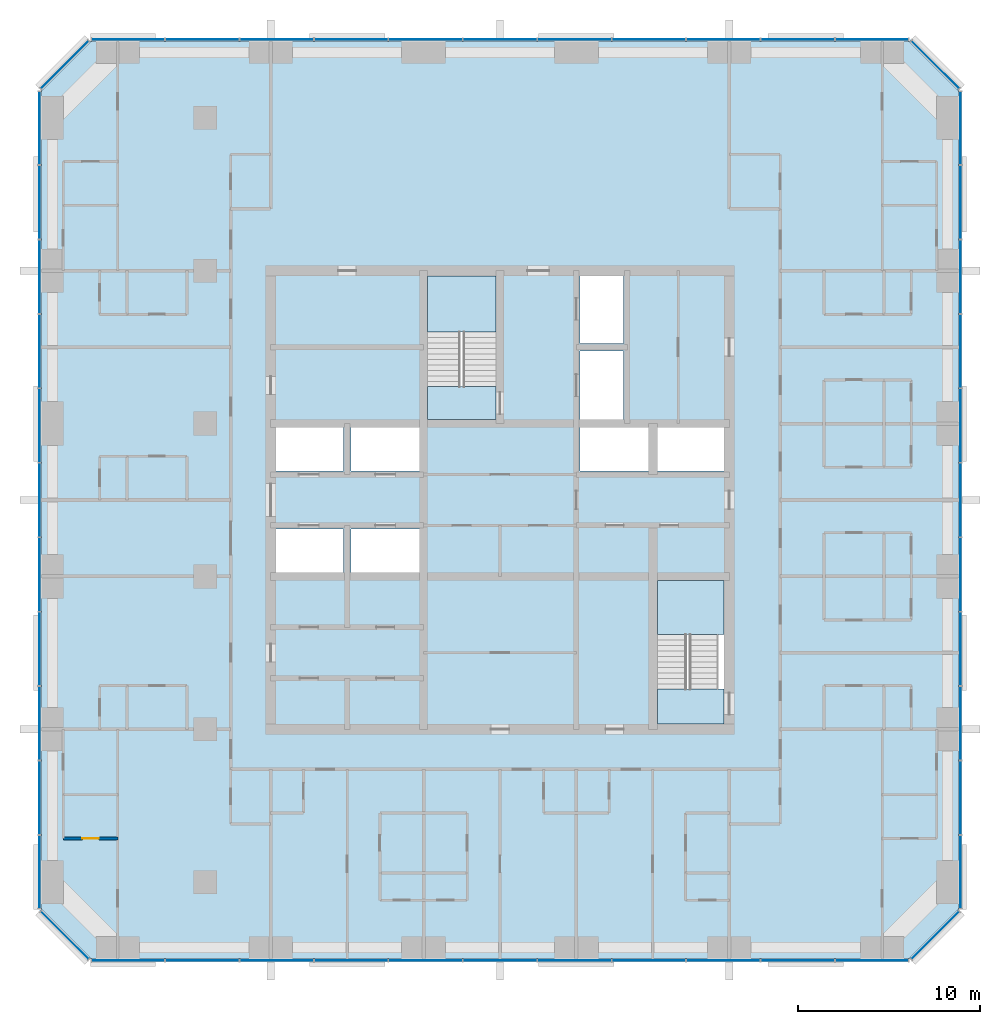
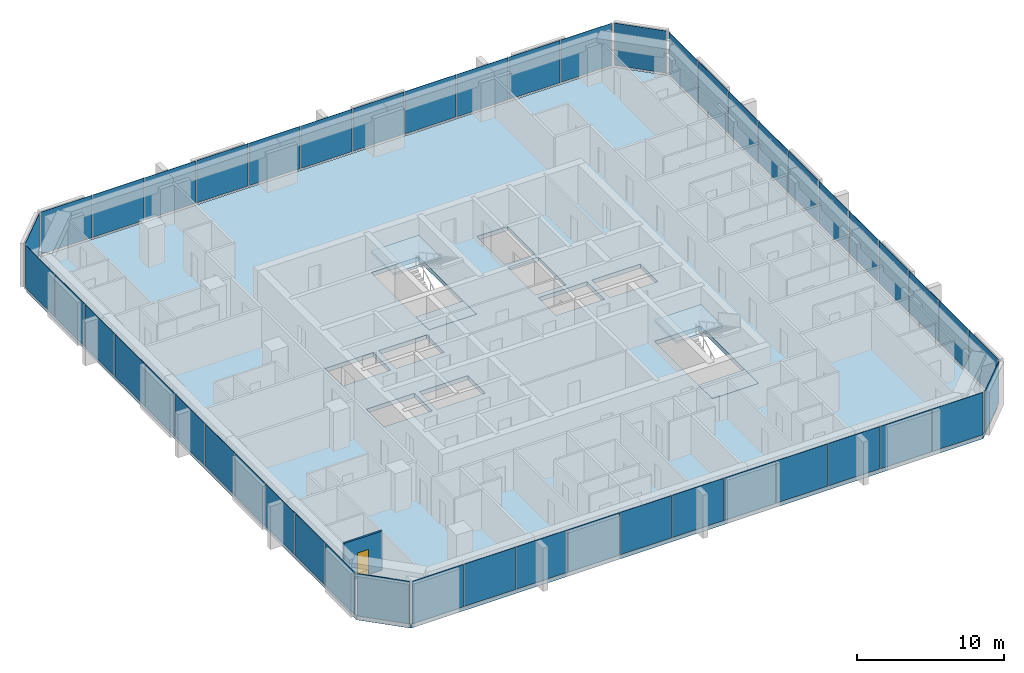
# One storey, part 7 of 14: 48 plates, 5 slabs, 1 door, 1 wall, 1 opening, 10 elements without a shape of their own.
"""IFC4 building model written with IfcOpenShell, lengths in metres."""

import ifcopenshell
import ifcopenshell.guid

model = None  # the IFC model being written
_history = None  # IfcOwnerHistory: only IFC2X3 demands one
_inside = {}  # id of a spatial element -> (the spatial element, [elements in it])
_under = {}  # id of a project, library or spatial element -> (it, [spatial elements below it])
_declared = {}  # id of a project -> (the project, [libraries it declares])
_typed = {}  # id of a type object -> (the type object, [elements of that type])
_made_of = {}  # id of a material, layer set ... -> (it, [elements and type objects made of it])


def new_model(schema):
    """Start an empty IFC model of exactly this schema.

    Asked for "IFC4X3", IfcOpenShell would pick the latest addendum, in which some entities
    have other attributes; the version numbers below select the first issue.
    IFC2X3 requires an IfcOwnerHistory on every rooted entity: one is made here for all.
    """
    global model, _history
    if schema == "IFC4X3":
        model = ifcopenshell.file(schema_version=(4, 3, 0, 0))
    else:
        model = ifcopenshell.file(schema=schema)
    _inside.clear()
    _under.clear()
    _declared.clear()
    _typed.clear()
    _made_of.clear()
    _history = None
    if model.schema == "IFC2X3":
        org = make("IfcOrganization", Name="unknown")
        user = make(
            "IfcPersonAndOrganization",
            ThePerson=make("IfcPerson", FamilyName="unknown"),
            TheOrganization=org,
        )
        app = make(
            "IfcApplication",
            ApplicationDeveloper=org,
            Version="unknown",
            ApplicationFullName="unknown",
            ApplicationIdentifier="unknown",
        )
        _history = make(
            "IfcOwnerHistory",
            OwningUser=user,
            OwningApplication=app,
            ChangeAction="ADDED",
            CreationDate=0,
        )
    return model


def make(cls, **values):
    """One entity of the class cls with the attributes given. An attribute that is None is left unset."""
    return model.create_entity(
        cls, **{name: value for name, value in values.items() if value is not None}
    )


def rooted(cls, **values):
    """An entity with a GlobalId (a new one), such as an element, a storey or a relation."""
    return make(cls, GlobalId=ifcopenshell.guid.new(), OwnerHistory=_history, **values)


def si_unit(unit_type, name, prefix=None):
    """IfcSIUnit, for example si_unit("LENGTHUNIT", "METRE", prefix="MILLI")."""
    return make("IfcSIUnit", UnitType=unit_type, Prefix=prefix, Name=name)


def assignment(units):
    """IfcUnitAssignment: the units of a project."""
    return None if units is None else make("IfcUnitAssignment", Units=units)


def point(xyz):
    """IfcCartesianPoint."""
    return None if xyz is None else make("IfcCartesianPoint", Coordinates=xyz)


def direction(xyz):
    """IfcDirection."""
    return None if xyz is None else make("IfcDirection", DirectionRatios=xyz)


def frame(location, z_axis=None, x_axis=None):
    """IfcAxis2Placement3D, a coordinate frame: its origin and axes. An axis left out is left unset."""
    return make(
        "IfcAxis2Placement3D",
        Location=point(location),
        Axis=direction(z_axis),
        RefDirection=direction(x_axis),
    )


def frame_2d(location, x_axis=None):
    """IfcAxis2Placement2D, a coordinate frame in the plane: its origin and x axis."""
    return make(
        "IfcAxis2Placement2D", Location=point(location), RefDirection=direction(x_axis)
    )


def origin():
    """The frame at (0, 0, 0) with its axes left unset."""
    return frame((0.0, 0.0, 0.0))


def origin_2d():
    """The frame at (0, 0) in the plane with its x axis left unset."""
    return frame_2d((0.0, 0.0))


def place(relative_to, where):
    """IfcLocalPlacement: puts the frame where relative to a parent placement (None: the world)."""
    return make(
        "IfcLocalPlacement", PlacementRelTo=relative_to, RelativePlacement=where
    )


def context(
    kind, dimensions, precision=None, world=None, true_north=None, identifier=None
):
    """IfcGeometricRepresentationContext, for example the 3D "Model" context."""
    return make(
        "IfcGeometricRepresentationContext",
        ContextIdentifier=identifier,
        ContextType=kind,
        CoordinateSpaceDimension=dimensions,
        Precision=precision,
        WorldCoordinateSystem=world,
        TrueNorth=true_north,
    )


def subcontext(parent, identifier, kind, view, scale=None):
    """IfcGeometricRepresentationSubContext, for example "Body" below "Model"."""
    return make(
        "IfcGeometricRepresentationSubContext",
        ContextIdentifier=identifier,
        ContextType=kind,
        ParentContext=parent,
        TargetScale=scale,
        TargetView=view,
    )


def project(units=None, contexts=None):
    """IfcProject with its units and contexts."""
    return rooted(
        "IfcProject",
        Name="project",
        RepresentationContexts=contexts,
        UnitsInContext=assignment(units),
    )


def spatial(cls, under=None, at=None, **own):
    """A site, building, storey or space (cls), placed at a placement, below another one or the project."""
    s = rooted(cls, ObjectPlacement=at, **own)
    if under is not None:
        _under.setdefault(under.id(), (under, []))[1].append(s)
    return s


def polyline(points):
    """IfcPolyline through the points."""
    return make("IfcPolyline", Points=[point(p) for p in points])


def profile(cls, at=None, kind="AREA", **sizes):
    """A parametric profile (cls). Its sizes go by their IFC names, for example OverallWidth=200.0."""
    return make(cls, ProfileType=kind, Position=at, **sizes)


def rectangle(**sizes):
    """IfcRectangleProfileDef."""
    return profile("IfcRectangleProfileDef", **sizes)


def outline(outer, holes=None, kind="AREA"):
    """IfcArbitraryClosedProfileDef: a profile drawn as a closed curve; with holes, ...WithVoids."""
    if holes is None:
        return make("IfcArbitraryClosedProfileDef", ProfileType=kind, OuterCurve=outer)
    return make(
        "IfcArbitraryProfileDefWithVoids",
        ProfileType=kind,
        OuterCurve=outer,
        InnerCurves=holes,
    )


def extrude(swept, where, along, depth):
    """IfcExtrudedAreaSolid: the profile swept, set in the frame where, extruded along a direction by depth."""
    return make(
        "IfcExtrudedAreaSolid",
        SweptArea=swept,
        Position=where,
        ExtrudedDirection=direction(along),
        Depth=depth,
    )


def shape(context_of_items, identifier, shape_type, items):
    """IfcShapeRepresentation: the items that make up one representation, for example the "Body"."""
    return make(
        "IfcShapeRepresentation",
        ContextOfItems=context_of_items,
        RepresentationIdentifier=identifier,
        RepresentationType=shape_type,
        Items=items,
    )


def material(Name=None, Category=None):
    """IfcMaterial."""
    return make("IfcMaterial", Name=Name, Category=Category)


def layer(
    of_material, thickness, ventilated=None, Name=None, Category=None, Priority=None
):
    """IfcMaterialLayer: one layer of a wall or slab, of a material (None: an air gap)."""
    return make(
        "IfcMaterialLayer",
        Material=of_material,
        LayerThickness=thickness,
        IsVentilated=ventilated,
        Name=Name,
        Category=Category,
        Priority=Priority,
    )


def layer_set(layers, Name=None):
    """IfcMaterialLayerSet."""
    return make("IfcMaterialLayerSet", MaterialLayers=layers, LayerSetName=Name)


def made_of(thing, what):
    """Note that an element or type object is made of a material, layer set ...; save() writes the relation."""
    if what is not None:
        _made_of.setdefault(what.id(), (what, []))[1].append(thing)
    return thing


def type_object(cls, material=None, **own):
    """A type object (cls), such as IfcWallType, which elements share."""
    return made_of(rooted(cls, **own), material)


def element(
    cls,
    number,
    at=None,
    inside=None,
    cuts=None,
    type_object=None,
    material=None,
    context=None,
    identifier="Body",
    shape_type=None,
    held_by="IfcProductDefinitionShape",
    body=None,
    shapes=None,
    **own,
):
    """One element of the class cls, such as IfcWall. Its Tag is "e" and its number.

    at: its placement. inside: the storey or other place that contains it. cuts: it is an
    opening in that element (IfcRelVoidsElement). A single representation is given by context,
    identifier, shape_type and body (its items); several are given by shapes. held_by: the class
    of the entity that holds the representations. save() writes the other relations.
    """
    e = rooted(cls, Tag="e%d" % number, ObjectPlacement=at, **own)
    if body is not None:
        shapes = [shape(context, identifier, shape_type, body)]
    if shapes is not None:
        e.Representation = make(held_by, Representations=shapes)
    if inside is not None:
        _inside.setdefault(inside.id(), (inside, []))[1].append(e)
    if cuts is not None:
        rooted(
            "IfcRelVoidsElement", RelatingBuildingElement=cuts, RelatedOpeningElement=e
        )
    if type_object is not None:
        _typed.setdefault(type_object.id(), (type_object, []))[1].append(e)
    return made_of(e, material)


def fill(opening, filler):
    """IfcRelFillsElement: the door or window that sits in an opening."""
    return rooted(
        "IfcRelFillsElement",
        RelatingOpeningElement=opening,
        RelatedBuildingElement=filler,
    )


def aggregate(whole, parts):
    """IfcRelAggregates: a whole, such as a stair, and the parts it consists of."""
    return rooted("IfcRelAggregates", RelatingObject=whole, RelatedObjects=parts)


def save(model, path):
    """Write the relations noted so far, then the file.

    IfcRelAggregates (storeys below a building ...), IfcRelContainedInSpatialStructure (elements
    in a storey), IfcRelDefinesByType, IfcRelAssociatesMaterial and IfcRelDeclares: one each for
    every whole, place, type object, material and project.
    """
    for whole, parts in _under.values():
        aggregate(whole, parts)
    for where, things in _inside.values():
        rooted(
            "IfcRelContainedInSpatialStructure",
            RelatedElements=things,
            RelatingStructure=where,
        )
    for kind, things in _typed.values():
        rooted("IfcRelDefinesByType", RelatedObjects=things, RelatingType=kind)
    for what, things in _made_of.values():
        rooted("IfcRelAssociatesMaterial", RelatedObjects=things, RelatingMaterial=what)
    for by, libraries in _declared.values():
        rooted("IfcRelDeclares", RelatingContext=by, RelatedDefinitions=libraries)
    model.write(path)


model = new_model("IFC4")

# Units and contexts
model_context = context("Model", 3, precision=1e-05, world=origin(), true_north=direction((0.0, 1.0)))
body_context = subcontext(model_context, "Body", "Model", "MODEL_VIEW")
ifc_project = project(units=[si_unit("LENGTHUNIT", "METRE"), si_unit("AREAUNIT", "SQUARE_METRE"), si_unit("VOLUMEUNIT", "CUBIC_METRE"), si_unit("PLANEANGLEUNIT", "RADIAN"), si_unit("MASSUNIT", "GRAM", prefix="KILO")], contexts=[model_context])

# Site, building, storey
site_placement = place(None, origin())
site = spatial("IfcSite", under=ifc_project, at=site_placement, CompositionType="ELEMENT")
building_placement = place(site_placement, origin())
building = spatial("IfcBuilding", under=site, at=building_placement, Name="Dunama Terrace Hotel", CompositionType="ELEMENT")
storey_placement = place(building_placement, frame((0.0, 0.0, 184.199951171875)))
storey = spatial("IfcBuildingStorey", under=building, at=storey_placement, Name="L47", CompositionType="ELEMENT", Elevation=184.199951171875)

# Curtain wall, plates
ifc_material_1 = material(Name="Aluminium curtain wall system", Category="aluminium")
curtain_wall_type = type_object("IfcCurtainWallType", Name="Unitised fritted glass wall CW-C", PredefinedType="NOTDEFINED", material=ifc_material_1)
curtain_wall_1_placement = place(storey_placement, origin())
curtain_wall_1 = element("IfcCurtainWall", 1, at=curtain_wall_1_placement, inside=storey, type_object=curtain_wall_type, Name="Unitised fritted glass wall CW-C L47", PredefinedType="NOTDEFINED")
ifc_material_2 = material(Name="Laminated glass", Category="glass")
ifc_layer_1 = layer(ifc_material_2, 0.031982421875)
ifc_layer_set_1 = layer_set([ifc_layer_1], Name="CWC clear glass panel")
plate_type_1 = type_object("IfcPlateType", Name="CWC clear glass panel", PredefinedType="CURTAIN_PANEL", material=ifc_layer_set_1)
plate_1_placement = place(storey_placement, frame((17.126953125, 4.10009765625, 0.080078125), z_axis=(0.0, 0.0, 1.0), x_axis=(1.0, 0.0, 0.0)))
plate_1 = element("IfcPlate", 2, at=plate_1_placement, type_object=plate_type_1, Name="CWC clear glass panel", PredefinedType="CURTAIN_PANEL", context=body_context, shape_type="SweptSolid", body=[
    extrude(rectangle(XDim=4.02099609375, YDim=0.031982421875, at=origin_2d()), origin(), (0.0, 0.0, 1.0), 3.52001953125),
])
plate_2_placement = place(storey_placement, frame((29.39990234375, 4.10009765625, 0.080078125), z_axis=(0.0, 0.0, 1.0), x_axis=(1.0, 0.0, 0.0)))
plate_2 = element("IfcPlate", 3, at=plate_2_placement, type_object=plate_type_1, Name="CWC clear glass panel", PredefinedType="CURTAIN_PANEL", context=body_context, shape_type="SweptSolid", body=[
    extrude(rectangle(XDim=4.02099609375, YDim=0.031982421875, at=origin_2d()), origin(), (0.0, 0.0, 1.0), 3.52001953125),
])
plate_3_placement = place(storey_placement, frame((41.673095703125, 4.10009765625, 0.080078125), z_axis=(0.0, 0.0, 1.0), x_axis=(1.0, 0.0, 0.0)))
plate_3 = element("IfcPlate", 4, at=plate_3_placement, type_object=plate_type_1, Name="CWC clear glass panel", PredefinedType="CURTAIN_PANEL", context=body_context, shape_type="SweptSolid", body=[
    extrude(rectangle(XDim=4.02099609375, YDim=0.031982421875, at=origin_2d()), origin(), (0.0, 0.0, 1.0), 3.52001953125),
])

# Curtain wall, plate
curtain_wall_2_placement = place(storey_placement, origin())
curtain_wall_2 = element("IfcCurtainWall", 5, at=curtain_wall_2_placement, inside=storey, type_object=curtain_wall_type, Name="Unitised fritted glass wall CW-C L47", PredefinedType="NOTDEFINED")
plate_4_placement = place(storey_placement, frame((53.321044921875, 5.47900390625, 0.080078125), z_axis=(0.0, 0.0, 1.0), x_axis=(0.707106781187, 0.707106781187, 0.0)))
plate_4 = element("IfcPlate", 6, at=plate_4_placement, type_object=plate_type_1, Name="CWC clear glass panel", PredefinedType="CURTAIN_PANEL", context=body_context, shape_type="SweptSolid", body=[
    extrude(rectangle(XDim=3.678466796875, YDim=0.031982421875, at=origin_2d()), origin(), (0.0, 0.0, 1.0), 3.52001953125),
])
aggregate(curtain_wall_2, [plate_4])

# Curtain wall, plates
curtain_wall_3_placement = place(storey_placement, origin())
curtain_wall_3 = element("IfcCurtainWall", 7, at=curtain_wall_3_placement, inside=storey, type_object=curtain_wall_type, Name="Unitised fritted glass wall CW-C L47", PredefinedType="NOTDEFINED")
plate_5_placement = place(storey_placement, frame((54.699951171875, 17.126953125, 0.080078125), z_axis=(0.0, 0.0, 1.0), x_axis=(0.0, 1.0, 0.0)))
plate_5 = element("IfcPlate", 8, at=plate_5_placement, type_object=plate_type_1, Name="CWC clear glass panel", PredefinedType="CURTAIN_PANEL", context=body_context, shape_type="SweptSolid", body=[
    extrude(rectangle(XDim=4.02099609375, YDim=0.031982421875, at=origin_2d()), origin(), (0.0, 0.0, 1.0), 3.52001953125),
])
plate_6_placement = place(storey_placement, frame((54.699951171875, 29.39990234375, 0.080078125), z_axis=(0.0, 0.0, 1.0), x_axis=(0.0, 1.0, 0.0)))
plate_6 = element("IfcPlate", 9, at=plate_6_placement, type_object=plate_type_1, Name="CWC clear glass panel", PredefinedType="CURTAIN_PANEL", context=body_context, shape_type="SweptSolid", body=[
    extrude(rectangle(XDim=4.02099609375, YDim=0.031982421875, at=origin_2d()), origin(), (0.0, 0.0, 1.0), 3.52001953125),
])
plate_7_placement = place(storey_placement, frame((54.699951171875, 41.673095703125, 0.080078125), z_axis=(0.0, 0.0, 1.0), x_axis=(0.0, 1.0, 0.0)))
plate_7 = element("IfcPlate", 10, at=plate_7_placement, type_object=plate_type_1, Name="CWC clear glass panel", PredefinedType="CURTAIN_PANEL", context=body_context, shape_type="SweptSolid", body=[
    extrude(rectangle(XDim=4.02099609375, YDim=0.031982421875, at=origin_2d()), origin(), (0.0, 0.0, 1.0), 3.52001953125),
])

# Curtain wall, plate
curtain_wall_4_placement = place(storey_placement, origin())
curtain_wall_4 = element("IfcCurtainWall", 11, at=curtain_wall_4_placement, inside=storey, type_object=curtain_wall_type, Name="Unitised fritted glass wall CW-C L47", PredefinedType="NOTDEFINED")
plate_8_placement = place(storey_placement, frame((53.321044921875, 53.321044921875, 0.080078125), z_axis=(0.0, 0.0, 1.0), x_axis=(-0.707106781187, 0.707106781187, 0.0)))
plate_8 = element("IfcPlate", 12, at=plate_8_placement, type_object=plate_type_1, Name="CWC clear glass panel", PredefinedType="CURTAIN_PANEL", context=body_context, shape_type="SweptSolid", body=[
    extrude(rectangle(XDim=3.678466796875, YDim=0.031982421875, at=origin_2d()), origin(), (0.0, 0.0, 1.0), 3.52001953125),
])
aggregate(curtain_wall_4, [plate_8])

# Curtain wall, plates
curtain_wall_5_placement = place(storey_placement, origin())
curtain_wall_5 = element("IfcCurtainWall", 13, at=curtain_wall_5_placement, inside=storey, type_object=curtain_wall_type, Name="Unitised fritted glass wall CW-C L47", PredefinedType="NOTDEFINED")
plate_9_placement = place(storey_placement, frame((41.673095703125, 54.699951171875, 0.080078125), z_axis=(0.0, 0.0, 1.0), x_axis=(-1.0, 0.0, 0.0)))
plate_9 = element("IfcPlate", 14, at=plate_9_placement, type_object=plate_type_1, Name="CWC clear glass panel", PredefinedType="CURTAIN_PANEL", context=body_context, shape_type="SweptSolid", body=[
    extrude(rectangle(XDim=4.02099609375, YDim=0.031982421875, at=origin_2d()), origin(), (0.0, 0.0, 1.0), 3.52001953125),
])
plate_10_placement = place(storey_placement, frame((29.39990234375, 54.699951171875, 0.080078125), z_axis=(0.0, 0.0, 1.0), x_axis=(-1.0, 0.0, 0.0)))
plate_10 = element("IfcPlate", 15, at=plate_10_placement, type_object=plate_type_1, Name="CWC clear glass panel", PredefinedType="CURTAIN_PANEL", context=body_context, shape_type="SweptSolid", body=[
    extrude(rectangle(XDim=4.02099609375, YDim=0.031982421875, at=origin_2d()), origin(), (0.0, 0.0, 1.0), 3.52001953125),
])
plate_11_placement = place(storey_placement, frame((17.126953125, 54.699951171875, 0.080078125), z_axis=(0.0, 0.0, 1.0), x_axis=(-1.0, 0.0, 0.0)))
plate_11 = element("IfcPlate", 16, at=plate_11_placement, type_object=plate_type_1, Name="CWC clear glass panel", PredefinedType="CURTAIN_PANEL", context=body_context, shape_type="SweptSolid", body=[
    extrude(rectangle(XDim=4.02099609375, YDim=0.031982421875, at=origin_2d()), origin(), (0.0, 0.0, 1.0), 3.52001953125),
])

# Curtain wall, plate
curtain_wall_6_placement = place(storey_placement, origin())
curtain_wall_6 = element("IfcCurtainWall", 17, at=curtain_wall_6_placement, inside=storey, type_object=curtain_wall_type, Name="Unitised fritted glass wall CW-C L47", PredefinedType="NOTDEFINED")
plate_12_placement = place(storey_placement, frame((5.47900390625, 53.321044921875, 0.080078125), z_axis=(0.0, 0.0, 1.0), x_axis=(-0.707106781187, -0.707106781187, 0.0)))
plate_12 = element("IfcPlate", 18, at=plate_12_placement, type_object=plate_type_1, Name="CWC clear glass panel", PredefinedType="CURTAIN_PANEL", context=body_context, shape_type="SweptSolid", body=[
    extrude(rectangle(XDim=3.678466796875, YDim=0.031982421875, at=origin_2d()), origin(), (0.0, 0.0, 1.0), 3.52001953125),
])
aggregate(curtain_wall_6, [plate_12])

# Curtain wall, plates
curtain_wall_7_placement = place(storey_placement, origin())
curtain_wall_7 = element("IfcCurtainWall", 19, at=curtain_wall_7_placement, inside=storey, type_object=curtain_wall_type, Name="Unitised fritted glass wall CW-C L47", PredefinedType="NOTDEFINED")
plate_13_placement = place(storey_placement, frame((4.10009765625, 41.673095703125, 0.080078125), z_axis=(0.0, 0.0, 1.0), x_axis=(0.0, -1.0, 0.0)))
plate_13 = element("IfcPlate", 20, at=plate_13_placement, type_object=plate_type_1, Name="CWC clear glass panel", PredefinedType="CURTAIN_PANEL", context=body_context, shape_type="SweptSolid", body=[
    extrude(rectangle(XDim=4.02099609375, YDim=0.031982421875, at=origin_2d()), origin(), (0.0, 0.0, 1.0), 3.52001953125),
])
plate_14_placement = place(storey_placement, frame((4.10009765625, 29.39990234375, 0.080078125), z_axis=(0.0, 0.0, 1.0), x_axis=(0.0, -1.0, 0.0)))
plate_14 = element("IfcPlate", 21, at=plate_14_placement, type_object=plate_type_1, Name="CWC clear glass panel", PredefinedType="CURTAIN_PANEL", context=body_context, shape_type="SweptSolid", body=[
    extrude(rectangle(XDim=4.02099609375, YDim=0.031982421875, at=origin_2d()), origin(), (0.0, 0.0, 1.0), 3.52001953125),
])
plate_15_placement = place(storey_placement, frame((4.10009765625, 17.126953125, 0.080078125), z_axis=(0.0, 0.0, 1.0), x_axis=(0.0, -1.0, 0.0)))
plate_15 = element("IfcPlate", 22, at=plate_15_placement, type_object=plate_type_1, Name="CWC clear glass panel", PredefinedType="CURTAIN_PANEL", context=body_context, shape_type="SweptSolid", body=[
    extrude(rectangle(XDim=4.02099609375, YDim=0.031982421875, at=origin_2d()), origin(), (0.0, 0.0, 1.0), 3.52001953125),
])

# Curtain wall, plate
curtain_wall_8_placement = place(storey_placement, origin())
curtain_wall_8 = element("IfcCurtainWall", 23, at=curtain_wall_8_placement, inside=storey, type_object=curtain_wall_type, Name="Unitised fritted glass wall CW-C L47", PredefinedType="NOTDEFINED")
plate_16_placement = place(storey_placement, frame((5.47900390625, 5.47900390625, 0.080078125), z_axis=(0.0, 0.0, 1.0), x_axis=(0.707106781187, -0.707106781187, 0.0)))
plate_16 = element("IfcPlate", 24, at=plate_16_placement, type_object=plate_type_1, Name="CWC clear glass panel", PredefinedType="CURTAIN_PANEL", context=body_context, shape_type="SweptSolid", body=[
    extrude(rectangle(XDim=3.678466796875, YDim=0.031982421875, at=origin_2d()), origin(), (0.0, 0.0, 1.0), 3.52001953125),
])
aggregate(curtain_wall_8, [plate_16])

# Plate
ifc_material_3 = material(Name="Fritted laminated glass", Category="glass")
ifc_layer_2 = layer(ifc_material_3, 0.031982421875)
ifc_layer_set_2 = layer_set([ifc_layer_2], Name="CWC fritted glass panel")
plate_type_2 = type_object("IfcPlateType", Name="CWC fritted glass panel", PredefinedType="CURTAIN_PANEL", material=ifc_layer_set_2)
plate_17_placement = place(storey_placement, frame((13.035888671875, 4.10009765625, 0.080078125), z_axis=(0.0, 0.0, 1.0), x_axis=(1.0, 0.0, 0.0)))
plate_17 = element("IfcPlate", 25, at=plate_17_placement, type_object=plate_type_2, Name="CWC fritted glass panel", PredefinedType="CURTAIN_PANEL", context=body_context, shape_type="SweptSolid", body=[
    extrude(rectangle(XDim=4.02099609375, YDim=0.031982421875, at=origin_2d()), origin(), (0.0, 0.0, 1.0), 3.52001953125),
])

plate_18_placement = place(storey_placement, frame((25.30908203125, 4.10009765625, 0.080078125), z_axis=(0.0, 0.0, 1.0), x_axis=(1.0, 0.0, 0.0)))
plate_18 = element("IfcPlate", 26, at=plate_18_placement, type_object=plate_type_2, Name="CWC fritted glass panel", PredefinedType="CURTAIN_PANEL", context=body_context, shape_type="SweptSolid", body=[
    extrude(rectangle(XDim=4.02099609375, YDim=0.031982421875, at=origin_2d()), origin(), (0.0, 0.0, 1.0), 3.52001953125),
])

plate_19_placement = place(storey_placement, frame((37.58203125, 4.10009765625, 0.080078125), z_axis=(0.0, 0.0, 1.0), x_axis=(1.0, 0.0, 0.0)))
plate_19 = element("IfcPlate", 27, at=plate_19_placement, type_object=plate_type_2, Name="CWC fritted glass panel", PredefinedType="CURTAIN_PANEL", context=body_context, shape_type="SweptSolid", body=[
    extrude(rectangle(XDim=4.02099609375, YDim=0.031982421875, at=origin_2d()), origin(), (0.0, 0.0, 1.0), 3.52001953125),
])

plate_20_placement = place(storey_placement, frame((49.8369140625, 4.10009765625, 0.080078125), z_axis=(0.0, 0.0, 1.0), x_axis=(1.0, 0.0, 0.0)))
plate_20 = element("IfcPlate", 28, at=plate_20_placement, type_object=plate_type_2, Name="CWC fritted glass panel", PredefinedType="CURTAIN_PANEL", context=body_context, shape_type="SweptSolid", body=[
    extrude(rectangle(XDim=3.98583984375, YDim=0.031982421875, at=origin_2d()), origin(), (0.0, 0.0, 1.0), 3.52001953125),
])

plate_21_placement = place(storey_placement, frame((54.699951171875, 13.035888671875, 0.080078125), z_axis=(0.0, 0.0, 1.0), x_axis=(0.0, 1.0, 0.0)))
plate_21 = element("IfcPlate", 29, at=plate_21_placement, type_object=plate_type_2, Name="CWC fritted glass panel", PredefinedType="CURTAIN_PANEL", context=body_context, shape_type="SweptSolid", body=[
    extrude(rectangle(XDim=4.02099609375, YDim=0.031982421875, at=origin_2d()), origin(), (0.0, 0.0, 1.0), 3.52001953125),
])

plate_22_placement = place(storey_placement, frame((54.699951171875, 25.30908203125, 0.080078125), z_axis=(0.0, 0.0, 1.0), x_axis=(0.0, 1.0, 0.0)))
plate_22 = element("IfcPlate", 30, at=plate_22_placement, type_object=plate_type_2, Name="CWC fritted glass panel", PredefinedType="CURTAIN_PANEL", context=body_context, shape_type="SweptSolid", body=[
    extrude(rectangle(XDim=4.02099609375, YDim=0.031982421875, at=origin_2d()), origin(), (0.0, 0.0, 1.0), 3.52001953125),
])

plate_23_placement = place(storey_placement, frame((54.699951171875, 37.58203125, 0.080078125), z_axis=(0.0, 0.0, 1.0), x_axis=(0.0, 1.0, 0.0)))
plate_23 = element("IfcPlate", 31, at=plate_23_placement, type_object=plate_type_2, Name="CWC fritted glass panel", PredefinedType="CURTAIN_PANEL", context=body_context, shape_type="SweptSolid", body=[
    extrude(rectangle(XDim=4.02099609375, YDim=0.031982421875, at=origin_2d()), origin(), (0.0, 0.0, 1.0), 3.52001953125),
])

plate_24_placement = place(storey_placement, frame((54.699951171875, 49.8369140625, 0.080078125), z_axis=(0.0, 0.0, 1.0), x_axis=(0.0, 1.0, 0.0)))
plate_24 = element("IfcPlate", 32, at=plate_24_placement, type_object=plate_type_2, Name="CWC fritted glass panel", PredefinedType="CURTAIN_PANEL", context=body_context, shape_type="SweptSolid", body=[
    extrude(rectangle(XDim=3.98583984375, YDim=0.031982421875, at=origin_2d()), origin(), (0.0, 0.0, 1.0), 3.52001953125),
])

plate_25_placement = place(storey_placement, frame((45.763916015625, 54.699951171875, 0.080078125), z_axis=(0.0, 0.0, 1.0), x_axis=(-1.0, 0.0, 0.0)))
plate_25 = element("IfcPlate", 33, at=plate_25_placement, type_object=plate_type_2, Name="CWC fritted glass panel", PredefinedType="CURTAIN_PANEL", context=body_context, shape_type="SweptSolid", body=[
    extrude(rectangle(XDim=4.02099609375, YDim=0.031982421875, at=origin_2d()), origin(), (0.0, 0.0, 1.0), 3.52001953125),
])

plate_26_placement = place(storey_placement, frame((33.490966796875, 54.699951171875, 0.080078125), z_axis=(0.0, 0.0, 1.0), x_axis=(-1.0, 0.0, 0.0)))
plate_26 = element("IfcPlate", 34, at=plate_26_placement, type_object=plate_type_2, Name="CWC fritted glass panel", PredefinedType="CURTAIN_PANEL", context=body_context, shape_type="SweptSolid", body=[
    extrude(rectangle(XDim=4.02099609375, YDim=0.031982421875, at=origin_2d()), origin(), (0.0, 0.0, 1.0), 3.52001953125),
])

plate_27_placement = place(storey_placement, frame((21.218017578125, 54.699951171875, 0.080078125), z_axis=(0.0, 0.0, 1.0), x_axis=(-1.0, 0.0, 0.0)))
plate_27 = element("IfcPlate", 35, at=plate_27_placement, type_object=plate_type_2, Name="CWC fritted glass panel", PredefinedType="CURTAIN_PANEL", context=body_context, shape_type="SweptSolid", body=[
    extrude(rectangle(XDim=4.02099609375, YDim=0.031982421875, at=origin_2d()), origin(), (0.0, 0.0, 1.0), 3.52001953125),
])

plate_28_placement = place(storey_placement, frame((8.962890625, 54.699951171875, 0.080078125), z_axis=(0.0, 0.0, 1.0), x_axis=(-1.0, 0.0, 0.0)))
plate_28 = element("IfcPlate", 36, at=plate_28_placement, type_object=plate_type_2, Name="CWC fritted glass panel", PredefinedType="CURTAIN_PANEL", context=body_context, shape_type="SweptSolid", body=[
    extrude(rectangle(XDim=3.98583984375, YDim=0.031982421875, at=origin_2d()), origin(), (0.0, 0.0, 1.0), 3.52001953125),
])

plate_29_placement = place(storey_placement, frame((4.10009765625, 45.763916015625, 0.080078125), z_axis=(0.0, 0.0, 1.0), x_axis=(0.0, -1.0, 0.0)))
plate_29 = element("IfcPlate", 37, at=plate_29_placement, type_object=plate_type_2, Name="CWC fritted glass panel", PredefinedType="CURTAIN_PANEL", context=body_context, shape_type="SweptSolid", body=[
    extrude(rectangle(XDim=4.02099609375, YDim=0.031982421875, at=origin_2d()), origin(), (0.0, 0.0, 1.0), 3.52001953125),
])

plate_30_placement = place(storey_placement, frame((4.10009765625, 33.490966796875, 0.080078125), z_axis=(0.0, 0.0, 1.0), x_axis=(0.0, -1.0, 0.0)))
plate_30 = element("IfcPlate", 38, at=plate_30_placement, type_object=plate_type_2, Name="CWC fritted glass panel", PredefinedType="CURTAIN_PANEL", context=body_context, shape_type="SweptSolid", body=[
    extrude(rectangle(XDim=4.02099609375, YDim=0.031982421875, at=origin_2d()), origin(), (0.0, 0.0, 1.0), 3.52001953125),
])

plate_31_placement = place(storey_placement, frame((4.10009765625, 21.218017578125, 0.080078125), z_axis=(0.0, 0.0, 1.0), x_axis=(0.0, -1.0, 0.0)))
plate_31 = element("IfcPlate", 39, at=plate_31_placement, type_object=plate_type_2, Name="CWC fritted glass panel", PredefinedType="CURTAIN_PANEL", context=body_context, shape_type="SweptSolid", body=[
    extrude(rectangle(XDim=4.02099609375, YDim=0.031982421875, at=origin_2d()), origin(), (0.0, 0.0, 1.0), 3.52001953125),
])

plate_32_placement = place(storey_placement, frame((4.10009765625, 8.962890625, 0.080078125), z_axis=(0.0, 0.0, 1.0), x_axis=(0.0, -1.0, 0.0)))
plate_32 = element("IfcPlate", 40, at=plate_32_placement, type_object=plate_type_2, Name="CWC fritted glass panel", PredefinedType="CURTAIN_PANEL", context=body_context, shape_type="SweptSolid", body=[
    extrude(rectangle(XDim=3.98583984375, YDim=0.031982421875, at=origin_2d()), origin(), (0.0, 0.0, 1.0), 3.52001953125),
])

ifc_material_4 = material(Name="Laminated glass", Category="glass")
ifc_layer_3 = layer(ifc_material_4, 0.031982421875)
ifc_layer_set_3 = layer_set([ifc_layer_3], Name="CWC operable glass panel")
plate_type_3 = type_object("IfcPlateType", Name="CWC operable glass panel", PredefinedType="CURTAIN_PANEL", material=ifc_layer_set_3)
plate_33_placement = place(storey_placement, frame((8.962890625, 4.10009765625, 0.080078125), z_axis=(0.0, 0.0, 1.0), x_axis=(1.0, 0.0, 0.0)))
plate_33 = element("IfcPlate", 41, at=plate_33_placement, type_object=plate_type_3, Name="CWC operable glass panel", PredefinedType="CURTAIN_PANEL", context=body_context, shape_type="SweptSolid", body=[
    extrude(rectangle(XDim=3.98583984375, YDim=0.031982421875, at=origin_2d()), origin(), (0.0, 0.0, 1.0), 3.52001953125),
])

plate_34_placement = place(storey_placement, frame((21.218017578125, 4.10009765625, 0.080078125), z_axis=(0.0, 0.0, 1.0), x_axis=(1.0, 0.0, 0.0)))
plate_34 = element("IfcPlate", 42, at=plate_34_placement, type_object=plate_type_3, Name="CWC operable glass panel", PredefinedType="CURTAIN_PANEL", context=body_context, shape_type="SweptSolid", body=[
    extrude(rectangle(XDim=4.02099609375, YDim=0.031982421875, at=origin_2d()), origin(), (0.0, 0.0, 1.0), 3.52001953125),
])

plate_35_placement = place(storey_placement, frame((33.490966796875, 4.10009765625, 0.080078125), z_axis=(0.0, 0.0, 1.0), x_axis=(1.0, 0.0, 0.0)))
plate_35 = element("IfcPlate", 43, at=plate_35_placement, type_object=plate_type_3, Name="CWC operable glass panel", PredefinedType="CURTAIN_PANEL", context=body_context, shape_type="SweptSolid", body=[
    extrude(rectangle(XDim=4.02099609375, YDim=0.031982421875, at=origin_2d()), origin(), (0.0, 0.0, 1.0), 3.52001953125),
])

plate_36_placement = place(storey_placement, frame((45.763916015625, 4.10009765625, 0.080078125), z_axis=(0.0, 0.0, 1.0), x_axis=(1.0, 0.0, 0.0)))
plate_36 = element("IfcPlate", 44, at=plate_36_placement, type_object=plate_type_3, Name="CWC operable glass panel", PredefinedType="CURTAIN_PANEL", context=body_context, shape_type="SweptSolid", body=[
    extrude(rectangle(XDim=4.02099609375, YDim=0.031982421875, at=origin_2d()), origin(), (0.0, 0.0, 1.0), 3.52001953125),
])

aggregate(curtain_wall_1, [plate_33, plate_17, plate_1, plate_34, plate_18, plate_2, plate_35, plate_19, plate_3, plate_36, plate_20])

plate_37_placement = place(storey_placement, frame((54.699951171875, 8.962890625, 0.080078125), z_axis=(0.0, 0.0, 1.0), x_axis=(0.0, 1.0, 0.0)))
plate_37 = element("IfcPlate", 45, at=plate_37_placement, type_object=plate_type_3, Name="CWC operable glass panel", PredefinedType="CURTAIN_PANEL", context=body_context, shape_type="SweptSolid", body=[
    extrude(rectangle(XDim=3.98583984375, YDim=0.031982421875, at=origin_2d()), origin(), (0.0, 0.0, 1.0), 3.52001953125),
])

plate_38_placement = place(storey_placement, frame((54.699951171875, 21.218017578125, 0.080078125), z_axis=(0.0, 0.0, 1.0), x_axis=(0.0, 1.0, 0.0)))
plate_38 = element("IfcPlate", 46, at=plate_38_placement, type_object=plate_type_3, Name="CWC operable glass panel", PredefinedType="CURTAIN_PANEL", context=body_context, shape_type="SweptSolid", body=[
    extrude(rectangle(XDim=4.02099609375, YDim=0.031982421875, at=origin_2d()), origin(), (0.0, 0.0, 1.0), 3.52001953125),
])

plate_39_placement = place(storey_placement, frame((54.699951171875, 33.490966796875, 0.080078125), z_axis=(0.0, 0.0, 1.0), x_axis=(0.0, 1.0, 0.0)))
plate_39 = element("IfcPlate", 47, at=plate_39_placement, type_object=plate_type_3, Name="CWC operable glass panel", PredefinedType="CURTAIN_PANEL", context=body_context, shape_type="SweptSolid", body=[
    extrude(rectangle(XDim=4.02099609375, YDim=0.031982421875, at=origin_2d()), origin(), (0.0, 0.0, 1.0), 3.52001953125),
])

plate_40_placement = place(storey_placement, frame((54.699951171875, 45.763916015625, 0.080078125), z_axis=(0.0, 0.0, 1.0), x_axis=(0.0, 1.0, 0.0)))
plate_40 = element("IfcPlate", 48, at=plate_40_placement, type_object=plate_type_3, Name="CWC operable glass panel", PredefinedType="CURTAIN_PANEL", context=body_context, shape_type="SweptSolid", body=[
    extrude(rectangle(XDim=4.02099609375, YDim=0.031982421875, at=origin_2d()), origin(), (0.0, 0.0, 1.0), 3.52001953125),
])

aggregate(curtain_wall_3, [plate_37, plate_21, plate_5, plate_38, plate_22, plate_6, plate_39, plate_23, plate_7, plate_40, plate_24])

plate_41_placement = place(storey_placement, frame((49.8369140625, 54.699951171875, 0.080078125), z_axis=(0.0, 0.0, 1.0), x_axis=(-1.0, 0.0, 0.0)))
plate_41 = element("IfcPlate", 49, at=plate_41_placement, type_object=plate_type_3, Name="CWC operable glass panel", PredefinedType="CURTAIN_PANEL", context=body_context, shape_type="SweptSolid", body=[
    extrude(rectangle(XDim=3.98583984375, YDim=0.031982421875, at=origin_2d()), origin(), (0.0, 0.0, 1.0), 3.52001953125),
])

plate_42_placement = place(storey_placement, frame((37.58203125, 54.699951171875, 0.080078125), z_axis=(0.0, 0.0, 1.0), x_axis=(-1.0, 0.0, 0.0)))
plate_42 = element("IfcPlate", 50, at=plate_42_placement, type_object=plate_type_3, Name="CWC operable glass panel", PredefinedType="CURTAIN_PANEL", context=body_context, shape_type="SweptSolid", body=[
    extrude(rectangle(XDim=4.02099609375, YDim=0.031982421875, at=origin_2d()), origin(), (0.0, 0.0, 1.0), 3.52001953125),
])

plate_43_placement = place(storey_placement, frame((25.30908203125, 54.699951171875, 0.080078125), z_axis=(0.0, 0.0, 1.0), x_axis=(-1.0, 0.0, 0.0)))
plate_43 = element("IfcPlate", 51, at=plate_43_placement, type_object=plate_type_3, Name="CWC operable glass panel", PredefinedType="CURTAIN_PANEL", context=body_context, shape_type="SweptSolid", body=[
    extrude(rectangle(XDim=4.02099609375, YDim=0.031982421875, at=origin_2d()), origin(), (0.0, 0.0, 1.0), 3.52001953125),
])

plate_44_placement = place(storey_placement, frame((13.035888671875, 54.699951171875, 0.080078125), z_axis=(0.0, 0.0, 1.0), x_axis=(-1.0, 0.0, 0.0)))
plate_44 = element("IfcPlate", 52, at=plate_44_placement, type_object=plate_type_3, Name="CWC operable glass panel", PredefinedType="CURTAIN_PANEL", context=body_context, shape_type="SweptSolid", body=[
    extrude(rectangle(XDim=4.02099609375, YDim=0.031982421875, at=origin_2d()), origin(), (0.0, 0.0, 1.0), 3.52001953125),
])

aggregate(curtain_wall_5, [plate_41, plate_25, plate_9, plate_42, plate_26, plate_10, plate_43, plate_27, plate_11, plate_44, plate_28])

plate_45_placement = place(storey_placement, frame((4.10009765625, 49.8369140625, 0.080078125), z_axis=(0.0, 0.0, 1.0), x_axis=(0.0, -1.0, 0.0)))
plate_45 = element("IfcPlate", 53, at=plate_45_placement, type_object=plate_type_3, Name="CWC operable glass panel", PredefinedType="CURTAIN_PANEL", context=body_context, shape_type="SweptSolid", body=[
    extrude(rectangle(XDim=3.98583984375, YDim=0.031982421875, at=origin_2d()), origin(), (0.0, 0.0, 1.0), 3.52001953125),
])

plate_46_placement = place(storey_placement, frame((4.10009765625, 37.58203125, 0.080078125), z_axis=(0.0, 0.0, 1.0), x_axis=(0.0, -1.0, 0.0)))
plate_46 = element("IfcPlate", 54, at=plate_46_placement, type_object=plate_type_3, Name="CWC operable glass panel", PredefinedType="CURTAIN_PANEL", context=body_context, shape_type="SweptSolid", body=[
    extrude(rectangle(XDim=4.02099609375, YDim=0.031982421875, at=origin_2d()), origin(), (0.0, 0.0, 1.0), 3.52001953125),
])

plate_47_placement = place(storey_placement, frame((4.10009765625, 25.30908203125, 0.080078125), z_axis=(0.0, 0.0, 1.0), x_axis=(0.0, -1.0, 0.0)))
plate_47 = element("IfcPlate", 55, at=plate_47_placement, type_object=plate_type_3, Name="CWC operable glass panel", PredefinedType="CURTAIN_PANEL", context=body_context, shape_type="SweptSolid", body=[
    extrude(rectangle(XDim=4.02099609375, YDim=0.031982421875, at=origin_2d()), origin(), (0.0, 0.0, 1.0), 3.52001953125),
])

plate_48_placement = place(storey_placement, frame((4.10009765625, 13.035888671875, 0.080078125), z_axis=(0.0, 0.0, 1.0), x_axis=(0.0, -1.0, 0.0)))
plate_48 = element("IfcPlate", 56, at=plate_48_placement, type_object=plate_type_3, Name="CWC operable glass panel", PredefinedType="CURTAIN_PANEL", context=body_context, shape_type="SweptSolid", body=[
    extrude(rectangle(XDim=4.02099609375, YDim=0.031982421875, at=origin_2d()), origin(), (0.0, 0.0, 1.0), 3.52001953125),
])

aggregate(curtain_wall_7, [plate_45, plate_29, plate_13, plate_46, plate_30, plate_14, plate_47, plate_31, plate_15, plate_48, plate_32])

# Slab
ifc_material_5 = material(Name="Concrete C40/50", Category="concrete")
ifc_layer_4 = layer(ifc_material_5, 0.35009765625)
ifc_layer_set_4 = layer_set([ifc_layer_4], Name="Flat plate 350")
slab_type_1 = type_object("IfcSlabType", Name="Flat plate 350", PredefinedType="FLOOR", material=ifc_layer_set_4)
slab_1_placement = place(storey_placement, frame((0.0, 0.0, -0.349853515625)))
element("IfcSlab", 57, at=slab_1_placement, inside=storey, type_object=slab_type_1, Name="Floor slab L47", PredefinedType="FLOOR", context=body_context, shape_type="SweptSolid", body=[
    extrude(outline(polyline([(6.89990234375, 4.199951171875), (51.89990234375, 4.199951171875), (54.60009765625, 6.89990234375), (54.60009765625, 51.89990234375), (51.89990234375, 54.60009765625), (6.89990234375, 54.60009765625), (4.199951171875, 51.89990234375), (4.199951171875, 6.89990234375), (6.89990234375, 4.199951171875)]), holes=[polyline([(20.800048828125, 25.39990234375), (20.800048828125, 27.800048828125), (17.0, 27.800048828125), (17.0, 25.39990234375), (20.800048828125, 25.39990234375)]), polyline([(25.0, 25.39990234375), (25.0, 27.800048828125), (21.199951171875, 27.800048828125), (21.199951171875, 25.39990234375), (25.0, 25.39990234375)]), polyline([(20.800048828125, 31.0), (20.800048828125, 33.39990234375), (17.0, 33.39990234375), (17.0, 31.0), (20.800048828125, 31.0)]), polyline([(25.0, 31.0), (25.0, 33.39990234375), (21.199951171875, 33.39990234375), (21.199951171875, 31.0), (25.0, 31.0)]), polyline([(37.60009765625, 31.0), (37.60009765625, 33.39990234375), (33.800048828125, 33.39990234375), (33.800048828125, 31.0), (37.60009765625, 31.0)]), polyline([(41.800048828125, 31.0), (41.800048828125, 33.39990234375), (38.0, 33.39990234375), (38.0, 31.0), (41.800048828125, 31.0)]), polyline([(36.199951171875, 38.0), (36.199951171875, 41.800048828125), (33.800048828125, 41.800048828125), (33.800048828125, 38.0), (36.199951171875, 38.0)]), polyline([(36.199951171875, 33.800048828125), (36.199951171875, 37.60009765625), (33.800048828125, 37.60009765625), (33.800048828125, 33.800048828125), (36.199951171875, 33.800048828125)]), polyline([(29.175048828125, 33.824951171875), (29.175048828125, 41.699951171875), (25.425048828125, 41.699951171875), (25.425048828125, 33.824951171875), (29.175048828125, 33.824951171875)]), polyline([(41.699951171875, 17.10009765625), (41.699951171875, 24.97509765625), (38.050048828125, 24.97509765625), (38.050048828125, 17.10009765625), (41.699951171875, 17.10009765625)])]), origin(), (0.0, 0.0, 1.0), 0.349853515625),
])

# Stair, slabs
ifc_material_6 = material(Name="Concrete C40/50", Category="concrete")
stair_type_1 = type_object("IfcStairType", Name="Stair ST1-3600-1800", PredefinedType="HALF_TURN_STAIR", material=ifc_material_6)
stair_1_placement = place(storey_placement, origin())
stair_1 = element("IfcStair", 58, at=stair_1_placement, inside=storey, type_object=stair_type_1, Name="Stair ST1 L47", PredefinedType="HALF_TURN_STAIR")
ifc_material_7 = material(Name="Concrete C40/50", Category="concrete")
ifc_layer_5 = layer(ifc_material_7, 0.199951171875)
ifc_layer_set_5 = layer_set([ifc_layer_5], Name="Stair landing 200")
slab_type_2 = type_object("IfcSlabType", Name="Stair landing 200", PredefinedType="LANDING", material=ifc_layer_set_5)
slab_2_placement = place(storey_placement, frame((0.0, 0.0, -0.199951171875)))
slab_2 = element("IfcSlab", 59, at=slab_2_placement, type_object=slab_type_2, Name="ST1 landing 1, type S10", PredefinedType="LANDING", context=body_context, shape_type="SweptSolid", body=[
    extrude(outline(polyline([(25.425048828125, 33.824951171875), (29.175048828125, 33.824951171875), (29.175048828125, 35.625), (25.425048828125, 35.625), (25.425048828125, 33.824951171875)])), origin(), (0.0, 0.0, 1.0), 0.199951171875),
])
slab_3_placement = place(storey_placement, frame((0.0, 0.0, 1.60009765625)))
slab_3 = element("IfcSlab", 60, at=slab_3_placement, type_object=slab_type_2, Name="ST1 landing 2, type S10", PredefinedType="LANDING", context=body_context, shape_type="SweptSolid", body=[
    extrude(outline(polyline([(25.425048828125, 38.625), (29.175048828125, 38.625), (29.175048828125, 41.699951171875), (25.425048828125, 41.699951171875), (25.425048828125, 38.625)])), origin(), (0.0, 0.0, 1.0), 0.199951171875),
])
aggregate(stair_1, [slab_2, slab_3])

ifc_material_8 = material(Name="Concrete C40/50", Category="concrete")
stair_type_2 = type_object("IfcStairType", Name="Stair ST2-3600-1600", PredefinedType="HALF_TURN_STAIR", material=ifc_material_8)
stair_2_placement = place(storey_placement, origin())
stair_2 = element("IfcStair", 61, at=stair_2_placement, inside=storey, type_object=stair_type_2, Name="Stair ST2 L47", PredefinedType="HALF_TURN_STAIR")
slab_4_placement = place(storey_placement, frame((0.0, 0.0, -0.199951171875)))
slab_4 = element("IfcSlab", 62, at=slab_4_placement, type_object=slab_type_2, Name="ST2 landing 1, type S10", PredefinedType="LANDING", context=body_context, shape_type="SweptSolid", body=[
    extrude(outline(polyline([(38.050048828125, 17.10009765625), (41.699951171875, 17.10009765625), (41.699951171875, 19.0), (38.050048828125, 19.0), (38.050048828125, 17.10009765625)])), origin(), (0.0, 0.0, 1.0), 0.199951171875),
])
slab_5_placement = place(storey_placement, frame((0.0, 0.0, 1.60009765625)))
slab_5 = element("IfcSlab", 63, at=slab_5_placement, type_object=slab_type_2, Name="ST2 landing 2, type S10", PredefinedType="LANDING", context=body_context, shape_type="SweptSolid", body=[
    extrude(outline(polyline([(38.050048828125, 22.0), (41.699951171875, 22.0), (41.699951171875, 24.97509765625), (38.050048828125, 24.97509765625), (38.050048828125, 22.0)])), origin(), (0.0, 0.0, 1.0), 0.199951171875),
])
aggregate(stair_2, [slab_4, slab_5])

# Wall, opening, door
ifc_material_9 = material(Name="Gypsum board partition", Category="masonry")
ifc_layer_6 = layer(ifc_material_9, 0.14990234375)
ifc_layer_set_6 = layer_set([ifc_layer_6], Name="Room partition 150")
wall_type = type_object("IfcWallType", Name="Room partition 150", PredefinedType="PARTITIONING", material=ifc_layer_set_6)
wall_placement = place(storey_placement, frame((5.39990234375, 10.800048828125, 0.0), z_axis=(0.0, 0.0, 1.0), x_axis=(1.0, 0.0, 0.0)))
wall = element("IfcWall", 64, at=wall_placement, inside=storey, type_object=wall_type, Name="Room partition 150 L47", PredefinedType="PARTITIONING", context=body_context, shape_type="SweptSolid", body=[
    extrude(rectangle(XDim=3.0, YDim=0.14990234375, at=frame_2d((1.5, 0.0))), origin(), (0.0, 0.0, 1.0), 3.25),
])
opening_placement = place(wall_placement, frame((1.050048828125, 0.0, 0.0)))
opening = element("IfcOpeningElement", 65, at=opening_placement, cuts=wall, Name="Opening L46-47-056", PredefinedType="OPENING", context=body_context, shape_type="SweptSolid", body=[
    extrude(rectangle(XDim=0.89990234375, YDim=2.10009765625, at=frame_2d((0.449951171875, 1.050048828125))), frame((0.0, 0.0849609375, 0.0), z_axis=(0.0, -1.0, 0.0), x_axis=(1.0, 0.0, 0.0)), (0.0, 0.0, 1.0), 0.169921875),
])
ifc_material_10 = material(Name="Timber door with steel frame", Category="steel")
door_type = type_object("IfcDoorType", Name="Suite internal door 900", OperationType="SINGLE_SWING_LEFT", PredefinedType="DOOR", material=ifc_material_10)
door_placement = place(opening_placement, origin())
door = element("IfcDoor", 66, at=door_placement, inside=storey, type_object=door_type, Name="Door to dressing room L46-47-056, type D16", OperationType="SINGLE_SWING_LEFT", OverallHeight=2.10009765625, OverallWidth=0.89990234375, PredefinedType="DOOR", context=body_context, shape_type="SweptSolid", body=[
    extrude(rectangle(XDim=0.89990234375, YDim=2.10009765625, at=frame_2d((0.449951171875, 1.050048828125))), frame((0.0, 0.02490234375, 0.0), z_axis=(0.0, -1.0, 0.0), x_axis=(1.0, 0.0, 0.0)), (0.0, 0.0, 1.0), 0.050048828125),
])
fill(opening, door)

save(model, "model.ifc")
